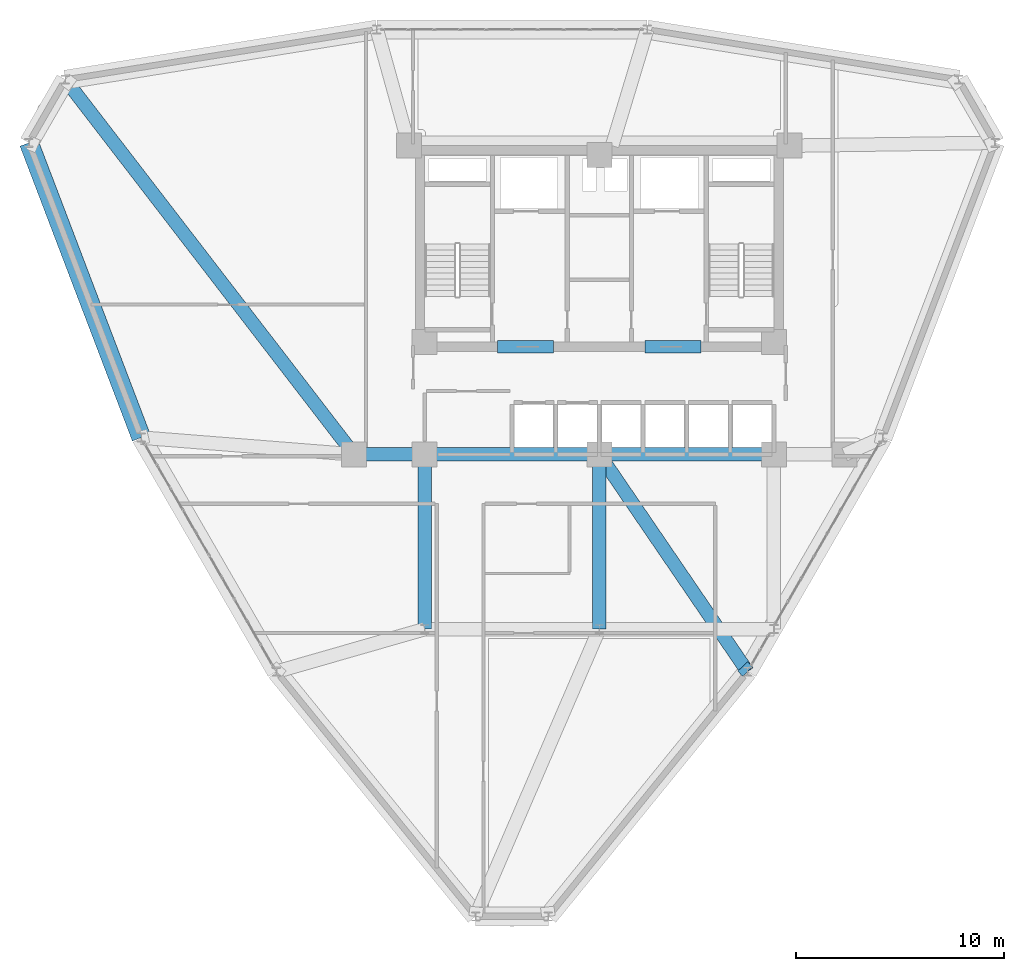
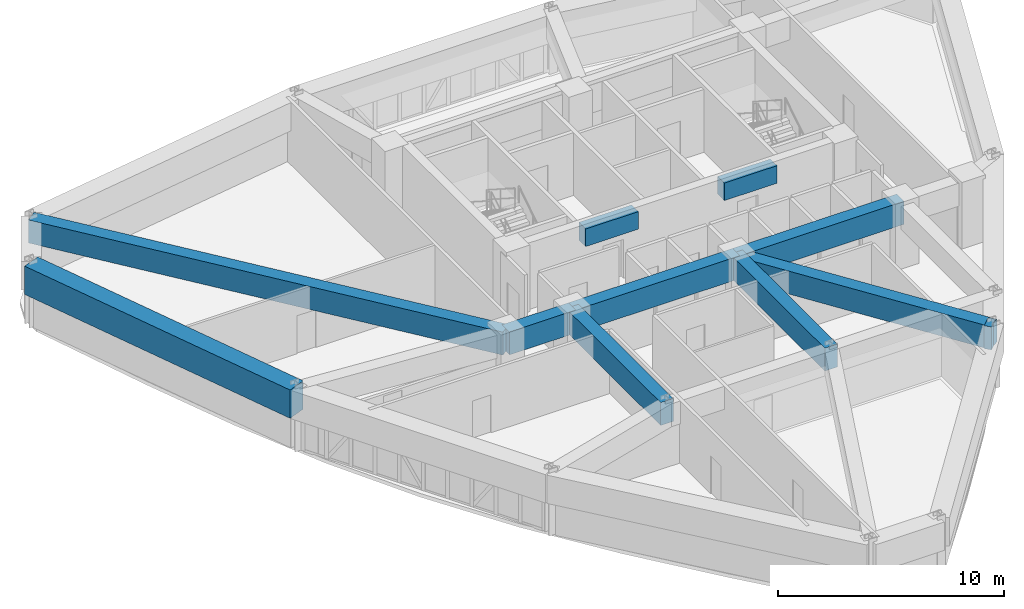
# One storey, part 5 of 13: 11 beams.
"""IFC4 building model written with IfcOpenShell, lengths in metres."""

from ifc_helpers import new_model, si_unit, derived_unit, direction, frame, origin, origin_2d, place, context, subcontext, project, spatial, rectangle, extrude, source, transform, mapped, material, material_profile, profile_set, type_object, element, save


model = new_model("IFC4")

# Units and contexts
model_context = context("Model", 3, precision=1e-05, world=origin(), true_north=direction((0.0, 1.0)))
body_context = subcontext(model_context, "Body", "Model", "MODEL_VIEW")
ifc_project = project(units=[si_unit("LENGTHUNIT", "METRE"), si_unit("AREAUNIT", "SQUARE_METRE"), si_unit("VOLUMEUNIT", "CUBIC_METRE"), si_unit("PLANEANGLEUNIT", "RADIAN"), si_unit("MASSUNIT", "GRAM", prefix="KILO"), derived_unit("THERMALTRANSMITTANCEUNIT", [(si_unit("POWERUNIT", "WATT"), 1), (si_unit("LENGTHUNIT", "METRE"), -2), (si_unit("THERMODYNAMICTEMPERATUREUNIT", "KELVIN"), -1)])], contexts=[model_context])

# Site, building, storey
site_placement = place(None, origin())
site = spatial("IfcSite", under=ifc_project, at=site_placement, CompositionType="ELEMENT")
building_placement = place(site_placement, origin())
building = spatial("IfcBuilding", under=site, at=building_placement, Name="Korsvarv Bourse and Concert Hall", CompositionType="ELEMENT")
storey_placement = place(building_placement, frame((0.0, 0.0, 154.199951171875)))
storey = spatial("IfcBuildingStorey", under=building, at=storey_placement, Name="L39", CompositionType="ELEMENT", Elevation=154.199951171875)

# Beams
ifc_material_1 = material(Name="Concrete C55/67", Category="concrete")
ifc_material_profile_1 = material_profile(ifc_material_1, rectangle(XDim=0.60009765625, YDim=0.949951171875, at=origin_2d()), Name="RC-BM 600x950")
ifc_profile_set_1 = profile_set([ifc_material_profile_1], Name="Concrete C55/67")
beam_type_1 = type_object("IfcBeamType", Name="BM-CPL", PredefinedType="LINTEL", material=ifc_profile_set_1)
shared_shape_1 = source(origin(), body_context, "Body", "SweptSolid", [
    extrude(rectangle(XDim=0.60009765625, YDim=0.949951171875, at=origin_2d()), origin(), (0.0, 0.0, 1.0), 2.699951171875),
])
for number, where, z_axis, x_axis, name in (
    (1, (31.10009765625, 37.574951171875, 2.925048828125), (1.0, 0.0, 0.0), (0.0, 1.0, 0.0), "L39 Core Coupling Beam West"),
    (2, (38.199951171875, 37.574951171875, 2.925048828125), (1.0, 0.0, 0.0), (0.0, 1.0, 0.0), "L39 Core Coupling Beam East"),
):
    element("IfcBeam", number, at=place(storey_placement, frame(where, z_axis=z_axis, x_axis=x_axis)), inside=storey, type_object=beam_type_1, Name=name, PredefinedType="LINTEL", context=body_context, shape_type="MappedRepresentation", body=[
        mapped(shared_shape_1, transform((0.0, 0.0, 0.0), scale=1.0)),
    ])
ifc_material_2 = material(Name="Concrete C50/60", Category="concrete")
ifc_material_profile_2 = material_profile(ifc_material_2, rectangle(XDim=0.64990234375, YDim=1.239990234375, at=origin_2d()), Name="RC-BM 650x1240")
ifc_profile_set_2 = profile_set([ifc_material_profile_2], Name="Concrete C50/60")
beam_type_2 = type_object("IfcBeamType", Name="BM-TR-SPN", PredefinedType="BEAM", material=ifc_profile_set_2)
shared_shape_2 = source(origin(), body_context, "Body", "SweptSolid", [
    extrude(rectangle(XDim=0.64990234375, YDim=1.239990234375, at=origin_2d()), origin(), (0.0, 0.0, 1.0), 3.400146484375),
])
beam_1_placement = place(storey_placement, frame((24.199951171875, 32.39990234375, 2.780029296875), z_axis=(1.0, 0.0, 0.0), x_axis=(0.0, 1.0, 0.0)))
element("IfcBeam", 3, at=beam_1_placement, inside=storey, type_object=beam_type_2, Name="L39 beam B-TRS", PredefinedType="BEAM", context=body_context, shape_type="MappedRepresentation", body=[
    mapped(shared_shape_2, transform((0.0, 0.0, 0.0), scale=1.0)),
])
shared_shape_3 = source(origin(), body_context, "Body", "SweptSolid", [
    extrude(rectangle(XDim=0.64990234375, YDim=1.239990234375, at=origin_2d()), origin(), (0.0, 0.0, 1.0), 8.39990234375),
])
for number, where, z_axis, x_axis, name in (
    (4, (27.60009765625, 32.39990234375, 2.780029296875), (1.0, 0.0, 0.0), (0.0, 1.0, 0.0), "L39 beam B-TRS"),
    (5, (36.0, 32.39990234375, 2.780029296875), (1.0, 0.0, 0.0), (0.0, 1.0, 0.0), "L39 beam B-TRS"),
    (6, (27.60009765625, 24.0, 2.780029296875), (0.0, 1.0, 0.0), (-1.0, 0.0, 0.0), "L39 beam B-TRS"),
    (7, (36.0, 24.0, 2.780029296875), (0.0, 1.0, 0.0), (-1.0, 0.0, 0.0), "L39 beam B-TRS"),
):
    element("IfcBeam", number, at=place(storey_placement, frame(where, z_axis=z_axis, x_axis=x_axis)), inside=storey, type_object=beam_type_2, Name=name, PredefinedType="BEAM", context=body_context, shape_type="MappedRepresentation", body=[
        mapped(shared_shape_3, transform((0.0, 0.0, 0.0), scale=1.0)),
    ])
ifc_material_profile_3 = material_profile(ifc_material_2, rectangle(XDim=0.919921875, YDim=1.530029296875, at=origin_2d()), Name="RC-BM 920x1530")
ifc_profile_set_3 = profile_set([ifc_material_profile_3], Name="Concrete C50/60")
beam_type_3 = type_object("IfcBeamType", Name="BM-TR-154", PredefinedType="BEAM", material=ifc_profile_set_3)
shared_shape_4 = source(origin(), body_context, "Body", "SweptSolid", [
    extrude(rectangle(XDim=0.919921875, YDim=1.530029296875, at=origin_2d()), origin(), (0.0, 0.0, 1.0), 15.173095703125),
])
beam_2_placement = place(storey_placement, frame((8.56591796875, 47.39013671875, 2.635009765625), z_axis=(0.356082310226, -0.934454594052, 0.0), x_axis=(0.934454594052, 0.356082310226, 0.0)))
element("IfcBeam", 8, at=beam_2_placement, inside=storey, type_object=beam_type_3, Name="L39 beam B-TR6", PredefinedType="BEAM", context=body_context, shape_type="MappedRepresentation", body=[
    mapped(shared_shape_4, transform((0.0, 0.0, 0.0), scale=1.0)),
])
shared_shape_5 = source(origin(), body_context, "Body", "SweptSolid", [
    extrude(rectangle(XDim=0.64990234375, YDim=1.239990234375, at=origin_2d()), origin(), (0.0, 0.0, 1.0), 22.751708984375),
])
beam_3_placement = place(storey_placement, frame((10.31884765625, 50.42626953125, 2.780029296875), z_axis=(0.610115695557, -0.792312336162, 0.0), x_axis=(0.792312336162, 0.610115695557, 0.0)))
element("IfcBeam", 9, at=beam_3_placement, inside=storey, type_object=beam_type_2, Name="L39 beam B-TRS", PredefinedType="BEAM", context=body_context, shape_type="MappedRepresentation", body=[
    mapped(shared_shape_5, transform((0.0, 0.0, 0.0), scale=1.0)),
])
shared_shape_6 = source(origin(), body_context, "Body", "SweptSolid", [
    extrude(rectangle(XDim=0.64990234375, YDim=1.239990234375, at=origin_2d()), origin(), (0.0, 0.0, 1.0), 12.649169921875),
])
beam_4_placement = place(storey_placement, frame((43.13037109375, 21.951904296875, 2.780029296875), z_axis=(-0.563700301006, 0.825979400861, 0.0), x_axis=(-0.825979400861, -0.563700301006, 0.0)))
element("IfcBeam", 10, at=beam_4_placement, inside=storey, type_object=beam_type_2, Name="L39 beam B-TRS", PredefinedType="BEAM", context=body_context, shape_type="MappedRepresentation", body=[
    mapped(shared_shape_6, transform((0.0, 0.0, 0.0), scale=1.0)),
])
shared_shape_7 = source(origin(), body_context, "Body", "SweptSolid", [
    extrude(rectangle(XDim=0.64990234375, YDim=1.239990234375, at=origin_2d()), origin(), (0.0, 0.0, 1.0), 0.343505859375),
])
beam_5_placement = place(storey_placement, frame((43.13037109375, 21.951904296875, 2.780029296875), z_axis=(-0.684366522653, 0.729138164322, 0.0), x_axis=(-0.729138164322, -0.684366522653, 0.0)))
element("IfcBeam", 11, at=beam_5_placement, inside=storey, type_object=beam_type_2, Name="L39 beam B-TRS", PredefinedType="BEAM", context=body_context, shape_type="MappedRepresentation", body=[
    mapped(shared_shape_7, transform((0.0, 0.0, 0.0), scale=1.0)),
])

save(model, "model.ifc")
